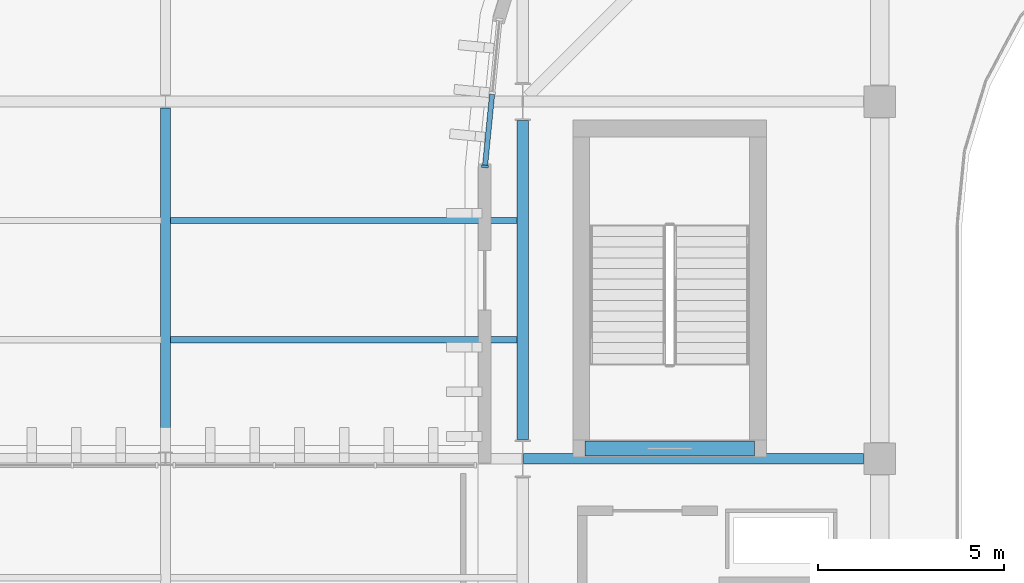
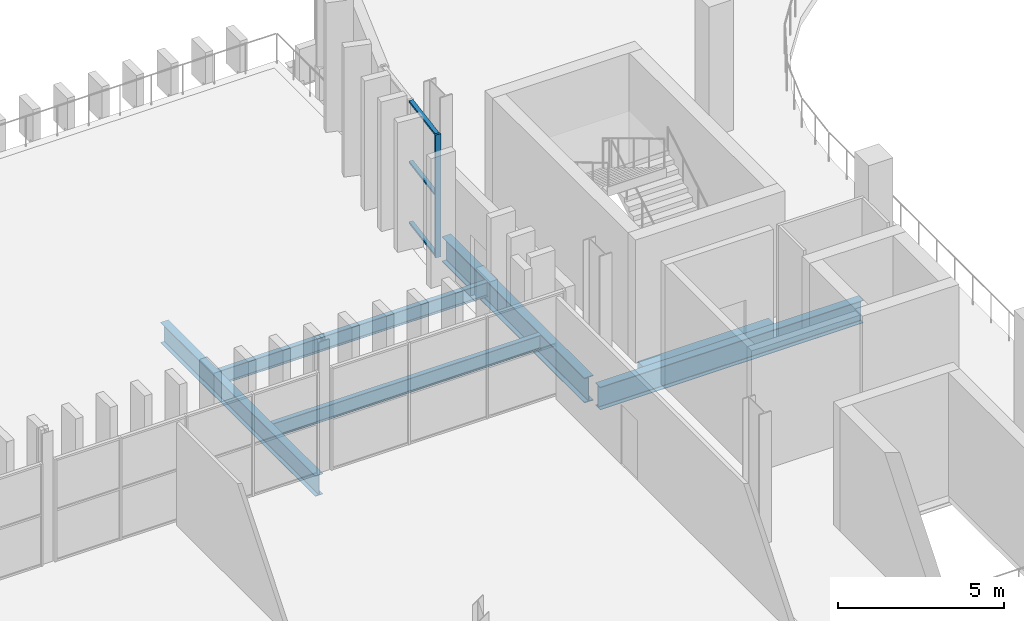
# One storey, part 29 of 99: 6 beams, 4 members, 1 element without a shape of its own.
"""IFC4 building model written with IfcOpenShell, lengths in metres."""

from ifc_helpers import new_model, si_unit, direction, frame, origin, origin_2d, place, context, subcontext, project, spatial, rectangle, i_section, extrude, material, layer, layer_set, material_profile, profile_set, type_object, element, aggregate, save


model = new_model("IFC4")

# Units and contexts
model_context = context("Model", 3, precision=1e-05, world=origin(), true_north=direction((0.0, 1.0)))
body_context = subcontext(model_context, "Body", "Model", "MODEL_VIEW")
ifc_project = project(units=[si_unit("LENGTHUNIT", "METRE"), si_unit("AREAUNIT", "SQUARE_METRE"), si_unit("VOLUMEUNIT", "CUBIC_METRE"), si_unit("PLANEANGLEUNIT", "RADIAN"), si_unit("MASSUNIT", "GRAM", prefix="KILO")], contexts=[model_context])

# Site, building, storey
site_placement = place(None, origin())
site = spatial("IfcSite", under=ifc_project, at=site_placement, CompositionType="ELEMENT")
building_placement = place(site_placement, origin())
building = spatial("IfcBuilding", under=site, at=building_placement, Name="Caelomonte Colonnade Arena", CompositionType="ELEMENT")
storey_placement = place(building_placement, frame((0.0, 0.0, 4.800048828125)))
storey = spatial("IfcBuildingStorey", under=building, at=storey_placement, Name="L01", CompositionType="ELEMENT", Elevation=4.800048828125)

# Curtain wall, members
ifc_material_1 = material(Name="Bronze anodised aluminium and low-E glazing", Category="aluminium")
ifc_layer = layer(ifc_material_1, 0.179931640625)
ifc_layer_set = layer_set([ifc_layer], Name="Bronze anodised aluminium and low-E glazing")
curtain_wall_type = type_object("IfcCurtainWallType", Name="ENV-CW-CW-L01-44-45", PredefinedType="USERDEFINED", material=ifc_layer_set)
curtain_wall_placement = place(storey_placement, origin())
curtain_wall = element("IfcCurtainWall", 1, at=curtain_wall_placement, inside=storey, type_object=curtain_wall_type, Name="L01 unitized curtain wall CW-L01-0568-0962", ObjectType="UNITIZED CURTAIN WALL", PredefinedType="USERDEFINED")
ifc_material_2 = material(Name="Bronze anodised aluminium AA6063-T6", Category="aluminium")
ifc_material_profile_1 = material_profile(ifc_material_2, rectangle(XDim=0.070068359375, YDim=0.179931640625, at=origin_2d()), Name="CWM-70X180")
ifc_profile_set_1 = profile_set([ifc_material_profile_1], Name="Bronze anodised aluminium AA6063-T6")
member_type_1 = type_object("IfcMemberType", Name="ENV-CW-MULL1", PredefinedType="MULLION", material=ifc_profile_set_1)
member_1_placement = place(storey_placement, frame((56.58642578125, 94.257080078125, 0.0), z_axis=(0.0, 0.0, 1.0), x_axis=(-0.098002498041, -0.995186168703, 0.0)))
member_1 = element("IfcMember", 2, at=member_1_placement, type_object=member_type_1, Name="CW-L01-44-45 mullion 3", PredefinedType="MULLION", context=body_context, shape_type="SweptSolid", body=[
    extrude(rectangle(XDim=0.070068359375, YDim=0.179931640625, at=origin_2d()), origin(), (0.0, 0.0, 1.0), 4.52001953125),
])
ifc_material_profile_2 = material_profile(ifc_material_2, rectangle(XDim=0.070068359375, YDim=0.139892578125, at=origin_2d()), Name="CWT-70X140")
ifc_profile_set_2 = profile_set([ifc_material_profile_2], Name="Bronze anodised aluminium AA6063-T6")
member_type_2 = type_object("IfcMemberType", Name="ENV-CW-TRAN1", PredefinedType="USERDEFINED", material=ifc_profile_set_2)
member_2_placement = place(storey_placement, frame((56.777587890625, 96.196044921875, 0.034912109375), z_axis=(-0.098114065391, -0.995175175621, 0.0), x_axis=(0.0, 0.0, 1.0)))
member_2 = element("IfcMember", 3, at=member_2_placement, type_object=member_type_2, Name="CW-L01-44-45 transom 2.1", ObjectType="TRANSOM", PredefinedType="USERDEFINED", context=body_context, shape_type="SweptSolid", body=[
    extrude(rectangle(XDim=0.070068359375, YDim=0.139892578125, at=origin_2d()), origin(), (0.0, 0.0, 1.0), 1.91357421875),
])
member_3_placement = place(storey_placement, frame((56.777587890625, 96.196044921875, 2.260009765625), z_axis=(-0.098114065391, -0.995175175621, 0.0), x_axis=(0.0, 0.0, 1.0)))
member_3 = element("IfcMember", 4, at=member_3_placement, type_object=member_type_2, Name="CW-L01-44-45 transom 2.2", ObjectType="TRANSOM", PredefinedType="USERDEFINED", context=body_context, shape_type="SweptSolid", body=[
    extrude(rectangle(XDim=0.070068359375, YDim=0.139892578125, at=origin_2d()), origin(), (0.0, 0.0, 1.0), 1.91357421875),
])
member_4_placement = place(storey_placement, frame((56.777587890625, 96.196044921875, 4.48486328125), z_axis=(-0.098114065391, -0.995175175621, 0.0), x_axis=(0.0, 0.0, 1.0)))
member_4 = element("IfcMember", 5, at=member_4_placement, type_object=member_type_2, Name="CW-L01-44-45 transom 2.3", ObjectType="TRANSOM", PredefinedType="USERDEFINED", context=body_context, shape_type="SweptSolid", body=[
    extrude(rectangle(XDim=0.070068359375, YDim=0.139892578125, at=origin_2d()), origin(), (0.0, 0.0, 1.0), 1.91357421875),
])
aggregate(curtain_wall, [member_1, member_2, member_3, member_4])

# Beams
ifc_material_3 = material(Name="Wide-flange steel ASTM A992 Grade 50", Category="steel")
ifc_material_profile_3 = material_profile(ifc_material_3, i_section(OverallWidth=0.307861328125, OverallDepth=0.927001953125, WebThickness=0.019287109375, FlangeThickness=0.031982421875, FilletRadius=0.020263671875, at=origin_2d()), Name="W36X194")
ifc_profile_set_3 = profile_set([ifc_material_profile_3], Name="Wide-flange steel ASTM A992 Grade 50")
beam_type_1 = type_object("IfcBeamType", Name="STR-BM-EAVES2", PredefinedType="SPANDREL", material=ifc_profile_set_3)
beam_1_placement = place(storey_placement, frame((57.60009765625, 86.91259765625, -0.763427734375), z_axis=(0.0, 1.0, 0.0), x_axis=(-1.0, 0.0, 0.0)))
element("IfcBeam", 6, at=beam_1_placement, inside=storey, type_object=beam_type_1, Name="L01 girder BMY-L01-0576-0864", PredefinedType="SPANDREL", context=body_context, shape_type="SweptSolid", body=[
    extrude(i_section(OverallWidth=0.307861328125, OverallDepth=0.927001953125, WebThickness=0.019287109375, FlangeThickness=0.031982421875, FilletRadius=0.020263671875, at=origin_2d()), origin(), (0.0, 0.0, 1.0), 8.57470703125),
])
ifc_material_profile_4 = material_profile(ifc_material_3, i_section(OverallWidth=0.2666015625, OverallDepth=0.761962890625, WebThickness=0.014404296875, FlangeThickness=0.021484375, FilletRadius=0.0166015625, at=origin_2d()), Name="W30X116")
ifc_profile_set_4 = profile_set([ifc_material_profile_4], Name="Wide-flange steel ASTM A992 Grade 50")
beam_type_2 = type_object("IfcBeamType", Name="STR-BM-GIRD30", PredefinedType="BEAM", material=ifc_profile_set_4)
beam_2_placement = place(storey_placement, frame((48.0, 86.51904296875, -0.68115234375), z_axis=(0.0, 1.0, 0.0), x_axis=(-1.0, 0.0, 0.0)))
element("IfcBeam", 7, at=beam_2_placement, inside=storey, type_object=beam_type_2, Name="L01 girder BMY-L01-0480-0864", PredefinedType="BEAM", context=body_context, shape_type="SweptSolid", body=[
    extrude(i_section(OverallWidth=0.2666015625, OverallDepth=0.761962890625, WebThickness=0.014404296875, FlangeThickness=0.021484375, FilletRadius=0.0166015625, at=origin_2d()), origin(), (0.0, 0.0, 1.0), 9.310791015625),
])
ifc_material_profile_5 = material_profile(ifc_material_3, i_section(OverallWidth=0.2919921875, OverallDepth=0.835693359375, WebThickness=0.013916015625, FlangeThickness=0.018798828125, FilletRadius=0.017822265625, at=origin_2d()), Name="W33X118")
ifc_profile_set_5 = profile_set([ifc_material_profile_5], Name="Wide-flange steel ASTM A992 Grade 50")
beam_type_3 = type_object("IfcBeamType", Name="STR-BM-GIRD33B", PredefinedType="BEAM", material=ifc_profile_set_5)
beam_3_placement = place(storey_placement, frame((57.615478515625, 86.39990234375, -0.7177734375), z_axis=(1.0, 0.0, 0.0), x_axis=(0.0, 1.0, 0.0)))
element("IfcBeam", 8, at=beam_3_placement, inside=storey, type_object=beam_type_3, Name="L01 girder BMX-L01-0576-0864", PredefinedType="BEAM", context=body_context, shape_type="SweptSolid", body=[
    extrude(i_section(OverallWidth=0.2919921875, OverallDepth=0.835693359375, WebThickness=0.013916015625, FlangeThickness=0.018798828125, FilletRadius=0.017822265625, at=origin_2d()), origin(), (0.0, 0.0, 1.0), 9.142578125),
])
ifc_material_profile_6 = material_profile(ifc_material_3, i_section(OverallWidth=0.166015625, OverallDepth=0.5283203125, WebThickness=0.009765625, FlangeThickness=0.013671875, FilletRadius=0.0126953125, at=origin_2d()), Name="W21X50")
ifc_profile_set_6 = profile_set([ifc_material_profile_6], Name="Wide-flange steel ASTM A992 Grade 50")
beam_type_4 = type_object("IfcBeamType", Name="STR-BM-JOIST21B", PredefinedType="JOIST", material=ifc_profile_set_6)
for number, where, z_axis, x_axis, name in (
    (9, (48.12841796875, 89.60009765625, -0.564208984375), (1.0, 0.0, 0.0), (0.0, 1.0, 0.0), "L01 secondary joist 1"),
    (10, (48.12841796875, 92.800048828125, -0.564208984375), (1.0, 0.0, 0.0), (0.0, 1.0, 0.0), "L01 secondary joist 2"),
):
    element("IfcBeam", number, at=place(storey_placement, frame(where, z_axis=z_axis, x_axis=x_axis)), inside=storey, type_object=beam_type_4, Name=name, PredefinedType="JOIST", context=body_context, shape_type="SweptSolid", body=[
        extrude(i_section(OverallWidth=0.166015625, OverallDepth=0.5283203125, WebThickness=0.009765625, FlangeThickness=0.013671875, FilletRadius=0.0126953125, at=origin_2d()), origin(), (0.0, 0.0, 1.0), 9.32275390625),
    ])
ifc_material_4 = material(Name="Concrete C40/50", Category="concrete")
ifc_material_profile_7 = material_profile(ifc_material_4, rectangle(XDim=0.39990234375, YDim=0.64990234375, at=origin_2d()), Name="RC400X650")
ifc_profile_set_7 = profile_set([ifc_material_profile_7], Name="Concrete C40/50")
beam_type_5 = type_object("IfcBeamType", Name="STR-BM-LINT40", PredefinedType="LINTEL", material=ifc_profile_set_7)
beam_4_placement = place(storey_placement, frame((59.27490234375, 86.675048828125, -0.625), z_axis=(1.0, 0.0, 0.0), x_axis=(0.0, 1.0, 0.0)))
element("IfcBeam", 11, at=beam_4_placement, inside=storey, type_object=beam_type_5, Name="Core C4 L01 coupling lintel beam", PredefinedType="LINTEL", context=body_context, shape_type="SweptSolid", body=[
    extrude(rectangle(XDim=0.39990234375, YDim=0.64990234375, at=origin_2d()), origin(), (0.0, 0.0, 1.0), 4.550048828125),
])

save(model, "model.ifc")
